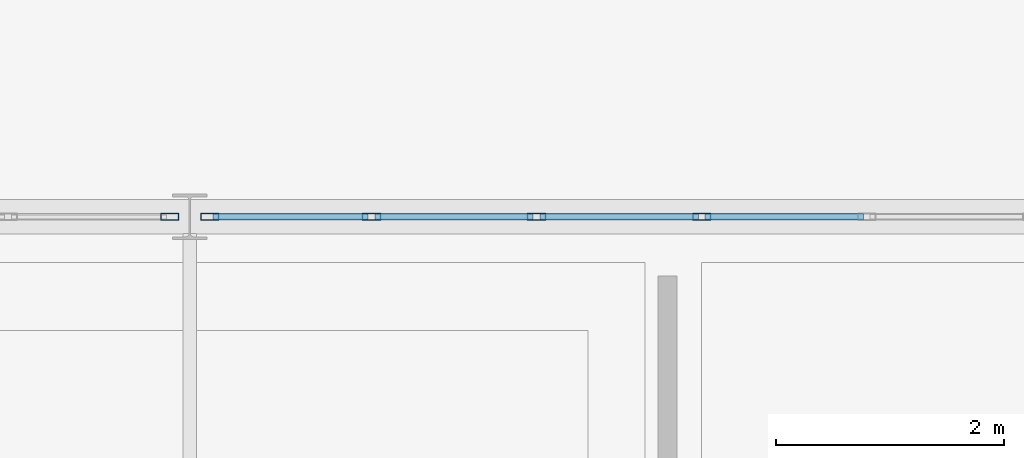
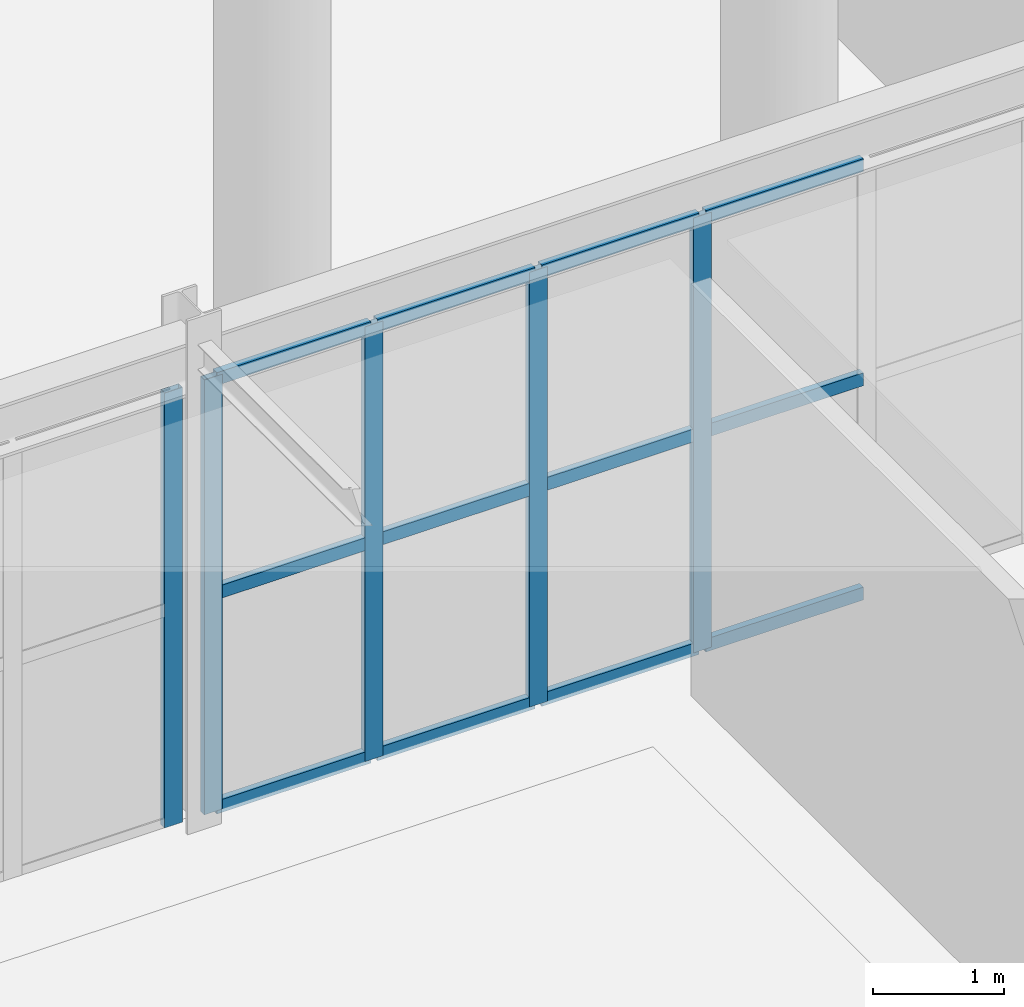
# One storey, part 12 of 29: 17 members, 2 elements without a shape of their own.
"""IFC4 building model written with IfcOpenShell, lengths in metres."""

from ifc_helpers import new_model, si_unit, direction, frame, origin, origin_2d, place, context, subcontext, project, spatial, hollow_rectangle, extrude, material, layer, layer_set, material_profile, profile_set, type_object, element, aggregate, save


model = new_model("IFC4")

# Units and contexts
model_context = context("Model", 3, precision=1e-05, world=origin(), true_north=direction((0.0, 1.0)))
body_context = subcontext(model_context, "Body", "Model", "MODEL_VIEW")
ifc_project = project(units=[si_unit("LENGTHUNIT", "METRE"), si_unit("AREAUNIT", "SQUARE_METRE"), si_unit("VOLUMEUNIT", "CUBIC_METRE"), si_unit("PLANEANGLEUNIT", "RADIAN"), si_unit("MASSUNIT", "GRAM", prefix="KILO")], contexts=[model_context])

# Site, building, storey
site_placement = place(None, origin())
site = spatial("IfcSite", under=ifc_project, at=site_placement, CompositionType="ELEMENT")
building_placement = place(site_placement, origin())
building = spatial("IfcBuilding", under=site, at=building_placement, Name="Dornveld Trade and Exhibition Forum", CompositionType="ELEMENT")
storey_placement = place(building_placement, frame((0.0, 0.0, 21.60009765625)))
storey = spatial("IfcBuildingStorey", under=building, at=storey_placement, Name="L04", CompositionType="ELEMENT", Elevation=21.60009765625)

# Curtain wall, member
ifc_material_1 = material(Name="Dark-bronze anodised aluminium and low-E glass", Category="aluminium")
ifc_layer_1 = layer(ifc_material_1, 0.196044921875)
ifc_layer_set_1 = layer_set([ifc_layer_1], Name="Dark-bronze anodised aluminium and low-E glass")
curtain_wall_type_1 = type_object("IfcCurtainWallType", Name="CW-SYS-18", PredefinedType="USERDEFINED", material=ifc_layer_set_1)
curtain_wall_1_placement = place(storey_placement, origin())
curtain_wall_1 = element("IfcCurtainWall", 1, at=curtain_wall_1_placement, inside=storey, type_object=curtain_wall_type_1, Name="L04 unitised curtain wall 126", ObjectType="UNITISED_CURTAIN_WALL", PredefinedType="USERDEFINED")
ifc_material_2 = material(Name="Dark-bronze anodised aluminium", Category="aluminium")
ifc_material_profile_1 = material_profile(ifc_material_2, hollow_rectangle(XDim=0.06005859375, YDim=0.159912109375, WallThickness=0.00390625, at=origin_2d()), Name="RHS 160x60x4")
ifc_profile_set_1 = profile_set([ifc_material_profile_1], Name="Dark-bronze anodised aluminium")
member_type_1 = type_object("IfcMemberType", Name="CW-MUL-160", PredefinedType="MULLION", material=ifc_profile_set_1)
member_1_placement = place(storey_placement, frame((116.823974609375, 90.0, -0.004150390625), z_axis=(0.0, 0.0, 1.0), x_axis=(0.0, -1.0, 0.0)))
member_1 = element("IfcMember", 2, at=member_1_placement, type_object=member_type_1, Name="CW-18 mullion 1", PredefinedType="MULLION", context=body_context, shape_type="SweptSolid", body=[
    extrude(hollow_rectangle(XDim=0.06005859375, YDim=0.159912109375, WallThickness=0.00390625, at=origin_2d()), origin(), (0.0, 0.0, 1.0), 4.06396484375),
])
aggregate(curtain_wall_1, [member_1])

# Curtain wall, members
ifc_material_3 = material(Name="Dark-bronze anodised aluminium and low-E glass", Category="aluminium")
ifc_layer_2 = layer(ifc_material_3, 0.14794921875)
ifc_layer_set_2 = layer_set([ifc_layer_2], Name="Dark-bronze anodised aluminium and low-E glass")
curtain_wall_type_2 = type_object("IfcCurtainWallType", Name="CW-SYS-02", PredefinedType="USERDEFINED", material=ifc_layer_set_2)
curtain_wall_2_placement = place(storey_placement, origin())
curtain_wall_2 = element("IfcCurtainWall", 3, at=curtain_wall_2_placement, inside=storey, type_object=curtain_wall_type_2, Name="L04 unitised curtain wall 128", ObjectType="UNITISED_CURTAIN_WALL", PredefinedType="USERDEFINED")
member_2_placement = place(storey_placement, frame((121.5, 90.0, -0.004150390625), z_axis=(0.0, 0.0, 1.0), x_axis=(0.0, -1.0, 0.0)))
member_2 = element("IfcMember", 4, at=member_2_placement, type_object=member_type_1, Name="CW-02 mullion 4", PredefinedType="MULLION", context=body_context, shape_type="SweptSolid", body=[
    extrude(hollow_rectangle(XDim=0.06005859375, YDim=0.159912109375, WallThickness=0.00390625, at=origin_2d()), origin(), (0.0, 0.0, 1.0), 4.06396484375),
])
member_3_placement = place(storey_placement, frame((120.048583984375, 90.0, -0.004150390625), z_axis=(0.0, 0.0, 1.0), x_axis=(0.0, -1.0, 0.0)))
member_3 = element("IfcMember", 5, at=member_3_placement, type_object=member_type_1, Name="CW-02 mullion 5", PredefinedType="MULLION", context=body_context, shape_type="SweptSolid", body=[
    extrude(hollow_rectangle(XDim=0.06005859375, YDim=0.159912109375, WallThickness=0.00390625, at=origin_2d()), origin(), (0.0, 0.0, 1.0), 4.06396484375),
])
member_4_placement = place(storey_placement, frame((118.597412109375, 90.0, -0.004150390625), z_axis=(0.0, 0.0, 1.0), x_axis=(0.0, -1.0, 0.0)))
member_4 = element("IfcMember", 6, at=member_4_placement, type_object=member_type_1, Name="CW-02 mullion 6", PredefinedType="MULLION", context=body_context, shape_type="SweptSolid", body=[
    extrude(hollow_rectangle(XDim=0.06005859375, YDim=0.159912109375, WallThickness=0.00390625, at=origin_2d()), origin(), (0.0, 0.0, 1.0), 4.06396484375),
])
member_5_placement = place(storey_placement, frame((117.176025390625, 90.0, -0.004150390625), z_axis=(0.0, 0.0, 1.0), x_axis=(0.0, -1.0, 0.0)))
member_5 = element("IfcMember", 7, at=member_5_placement, type_object=member_type_1, Name="CW-02 mullion 7", PredefinedType="MULLION", context=body_context, shape_type="SweptSolid", body=[
    extrude(hollow_rectangle(XDim=0.06005859375, YDim=0.159912109375, WallThickness=0.00390625, at=origin_2d()), origin(), (0.0, 0.0, 1.0), 4.06396484375),
])
ifc_material_4 = material(Name="Dark-bronze anodised aluminium", Category="aluminium")
ifc_material_profile_2 = material_profile(ifc_material_4, hollow_rectangle(XDim=0.06005859375, YDim=0.1201171875, WallThickness=0.00390625, at=origin_2d()), Name="RHS 120x60x4")
ifc_profile_set_2 = profile_set([ifc_material_profile_2], Name="Dark-bronze anodised aluminium")
member_type_2 = type_object("IfcMemberType", Name="CW-TRN-120", PredefinedType="USERDEFINED", material=ifc_profile_set_2)
member_6_placement = place(storey_placement, frame((122.92138671875, 90.0, 0.02587890625), z_axis=(-1.0, 0.0, 0.0), x_axis=(0.0, -1.0, 0.0)))
member_6 = element("IfcMember", 8, at=member_6_placement, type_object=member_type_2, Name="CW-02 transom 3.1", ObjectType="TRANSOM", PredefinedType="USERDEFINED", context=body_context, shape_type="SweptSolid", body=[
    extrude(hollow_rectangle(XDim=0.06005859375, YDim=0.1201171875, WallThickness=0.00390625, at=origin_2d()), origin(), (0.0, 0.0, 1.0), 1.391357421875),
])
member_7_placement = place(storey_placement, frame((122.92138671875, 90.0, 2.02783203125), z_axis=(-1.0, 0.0, 0.0), x_axis=(0.0, -1.0, 0.0)))
member_7 = element("IfcMember", 9, at=member_7_placement, type_object=member_type_2, Name="CW-02 transom 3.2", ObjectType="TRANSOM", PredefinedType="USERDEFINED", context=body_context, shape_type="SweptSolid", body=[
    extrude(hollow_rectangle(XDim=0.06005859375, YDim=0.1201171875, WallThickness=0.00390625, at=origin_2d()), origin(), (0.0, 0.0, 1.0), 1.391357421875),
])
member_8_placement = place(storey_placement, frame((122.92138671875, 90.0, 4.02978515625), z_axis=(-1.0, 0.0, 0.0), x_axis=(0.0, -1.0, 0.0)))
member_8 = element("IfcMember", 10, at=member_8_placement, type_object=member_type_2, Name="CW-02 transom 3.3", ObjectType="TRANSOM", PredefinedType="USERDEFINED", context=body_context, shape_type="SweptSolid", body=[
    extrude(hollow_rectangle(XDim=0.06005859375, YDim=0.1201171875, WallThickness=0.00390625, at=origin_2d()), origin(), (0.0, 0.0, 1.0), 1.391357421875),
])
member_9_placement = place(storey_placement, frame((121.469970703125, 90.0, 0.02587890625), z_axis=(-1.0, 0.0, 0.0), x_axis=(0.0, -1.0, 0.0)))
member_9 = element("IfcMember", 11, at=member_9_placement, type_object=member_type_2, Name="CW-02 transom 4.1", ObjectType="TRANSOM", PredefinedType="USERDEFINED", context=body_context, shape_type="SweptSolid", body=[
    extrude(hollow_rectangle(XDim=0.06005859375, YDim=0.1201171875, WallThickness=0.00390625, at=origin_2d()), origin(), (0.0, 0.0, 1.0), 1.391357421875),
])
member_10_placement = place(storey_placement, frame((121.469970703125, 90.0, 2.02783203125), z_axis=(-1.0, 0.0, 0.0), x_axis=(0.0, -1.0, 0.0)))
member_10 = element("IfcMember", 12, at=member_10_placement, type_object=member_type_2, Name="CW-02 transom 4.2", ObjectType="TRANSOM", PredefinedType="USERDEFINED", context=body_context, shape_type="SweptSolid", body=[
    extrude(hollow_rectangle(XDim=0.06005859375, YDim=0.1201171875, WallThickness=0.00390625, at=origin_2d()), origin(), (0.0, 0.0, 1.0), 1.391357421875),
])
member_11_placement = place(storey_placement, frame((121.469970703125, 90.0, 4.02978515625), z_axis=(-1.0, 0.0, 0.0), x_axis=(0.0, -1.0, 0.0)))
member_11 = element("IfcMember", 13, at=member_11_placement, type_object=member_type_2, Name="CW-02 transom 4.3", ObjectType="TRANSOM", PredefinedType="USERDEFINED", context=body_context, shape_type="SweptSolid", body=[
    extrude(hollow_rectangle(XDim=0.06005859375, YDim=0.1201171875, WallThickness=0.00390625, at=origin_2d()), origin(), (0.0, 0.0, 1.0), 1.391357421875),
])
member_12_placement = place(storey_placement, frame((120.0185546875, 90.0, 0.02587890625), z_axis=(-1.0, 0.0, 0.0), x_axis=(0.0, -1.0, 0.0)))
member_12 = element("IfcMember", 14, at=member_12_placement, type_object=member_type_2, Name="CW-02 transom 5.1", ObjectType="TRANSOM", PredefinedType="USERDEFINED", context=body_context, shape_type="SweptSolid", body=[
    extrude(hollow_rectangle(XDim=0.06005859375, YDim=0.1201171875, WallThickness=0.00390625, at=origin_2d()), origin(), (0.0, 0.0, 1.0), 1.39111328125),
])
member_13_placement = place(storey_placement, frame((120.0185546875, 90.0, 2.02783203125), z_axis=(-1.0, 0.0, 0.0), x_axis=(0.0, -1.0, 0.0)))
member_13 = element("IfcMember", 15, at=member_13_placement, type_object=member_type_2, Name="CW-02 transom 5.2", ObjectType="TRANSOM", PredefinedType="USERDEFINED", context=body_context, shape_type="SweptSolid", body=[
    extrude(hollow_rectangle(XDim=0.06005859375, YDim=0.1201171875, WallThickness=0.00390625, at=origin_2d()), origin(), (0.0, 0.0, 1.0), 1.39111328125),
])
member_14_placement = place(storey_placement, frame((120.0185546875, 90.0, 4.02978515625), z_axis=(-1.0, 0.0, 0.0), x_axis=(0.0, -1.0, 0.0)))
member_14 = element("IfcMember", 16, at=member_14_placement, type_object=member_type_2, Name="CW-02 transom 5.3", ObjectType="TRANSOM", PredefinedType="USERDEFINED", context=body_context, shape_type="SweptSolid", body=[
    extrude(hollow_rectangle(XDim=0.06005859375, YDim=0.1201171875, WallThickness=0.00390625, at=origin_2d()), origin(), (0.0, 0.0, 1.0), 1.39111328125),
])
member_15_placement = place(storey_placement, frame((118.5673828125, 90.0, 0.02587890625), z_axis=(-1.0, 0.0, 0.0), x_axis=(0.0, -1.0, 0.0)))
member_15 = element("IfcMember", 17, at=member_15_placement, type_object=member_type_2, Name="CW-02 transom 6.1", ObjectType="TRANSOM", PredefinedType="USERDEFINED", context=body_context, shape_type="SweptSolid", body=[
    extrude(hollow_rectangle(XDim=0.06005859375, YDim=0.1201171875, WallThickness=0.00390625, at=origin_2d()), origin(), (0.0, 0.0, 1.0), 1.361328125),
])
member_16_placement = place(storey_placement, frame((118.5673828125, 90.0, 2.02783203125), z_axis=(-1.0, 0.0, 0.0), x_axis=(0.0, -1.0, 0.0)))
member_16 = element("IfcMember", 18, at=member_16_placement, type_object=member_type_2, Name="CW-02 transom 6.2", ObjectType="TRANSOM", PredefinedType="USERDEFINED", context=body_context, shape_type="SweptSolid", body=[
    extrude(hollow_rectangle(XDim=0.06005859375, YDim=0.1201171875, WallThickness=0.00390625, at=origin_2d()), origin(), (0.0, 0.0, 1.0), 1.361328125),
])
member_17_placement = place(storey_placement, frame((118.5673828125, 90.0, 4.02978515625), z_axis=(-1.0, 0.0, 0.0), x_axis=(0.0, -1.0, 0.0)))
member_17 = element("IfcMember", 19, at=member_17_placement, type_object=member_type_2, Name="CW-02 transom 6.3", ObjectType="TRANSOM", PredefinedType="USERDEFINED", context=body_context, shape_type="SweptSolid", body=[
    extrude(hollow_rectangle(XDim=0.06005859375, YDim=0.1201171875, WallThickness=0.00390625, at=origin_2d()), origin(), (0.0, 0.0, 1.0), 1.361328125),
])
aggregate(curtain_wall_2, [member_2, member_3, member_4, member_5, member_6, member_7, member_8, member_9, member_10, member_11, member_12, member_13, member_14, member_15, member_16, member_17])

save(model, "model.ifc")
